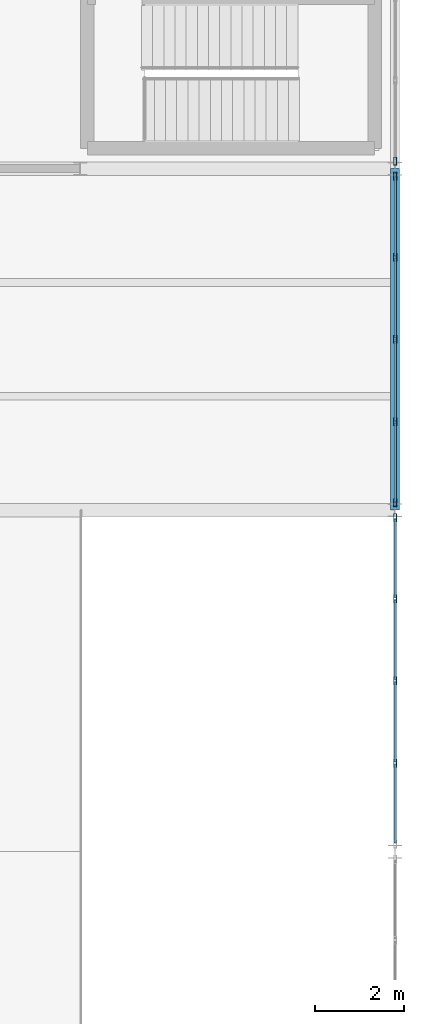
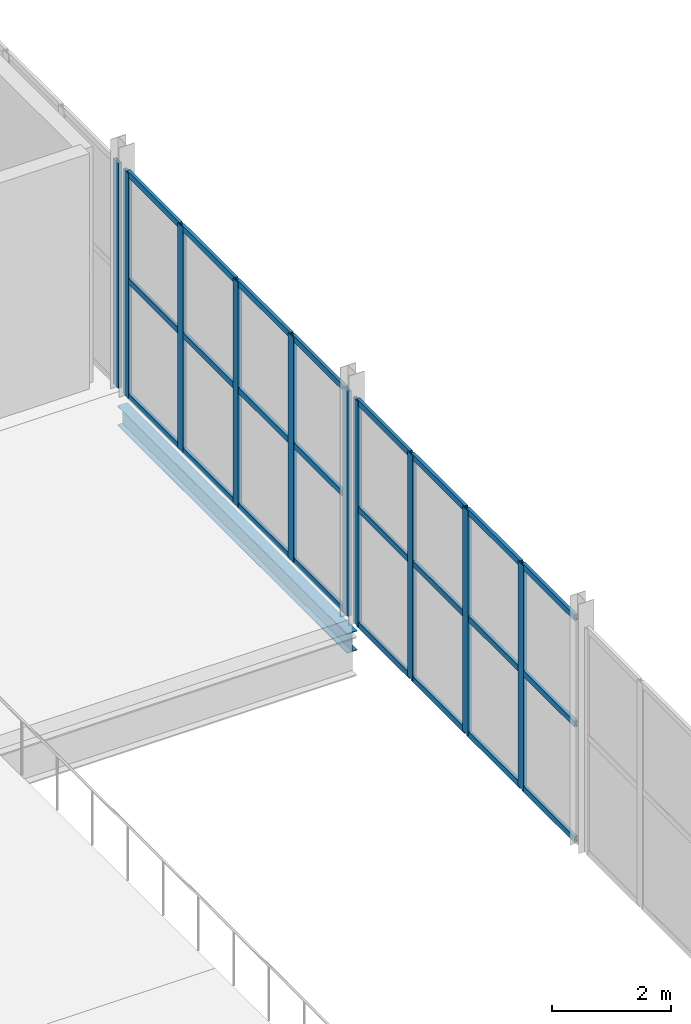
# One storey, part 136 of 218: 34 members, 1 beam, 3 elements without a shape of their own.
"""IFC4 building model written with IfcOpenShell, lengths in metres."""

import ifcopenshell
import ifcopenshell.guid

model = None  # the IFC model being written
_history = None  # IfcOwnerHistory: only IFC2X3 demands one
_inside = {}  # id of a spatial element -> (the spatial element, [elements in it])
_under = {}  # id of a project, library or spatial element -> (it, [spatial elements below it])
_declared = {}  # id of a project -> (the project, [libraries it declares])
_typed = {}  # id of a type object -> (the type object, [elements of that type])
_made_of = {}  # id of a material, layer set ... -> (it, [elements and type objects made of it])


def new_model(schema):
    """Start an empty IFC model of exactly this schema.

    Asked for "IFC4X3", IfcOpenShell would pick the latest addendum, in which some entities
    have other attributes; the version numbers below select the first issue.
    IFC2X3 requires an IfcOwnerHistory on every rooted entity: one is made here for all.
    """
    global model, _history
    if schema == "IFC4X3":
        model = ifcopenshell.file(schema_version=(4, 3, 0, 0))
    else:
        model = ifcopenshell.file(schema=schema)
    _inside.clear()
    _under.clear()
    _declared.clear()
    _typed.clear()
    _made_of.clear()
    _history = None
    if model.schema == "IFC2X3":
        org = make("IfcOrganization", Name="unknown")
        user = make(
            "IfcPersonAndOrganization",
            ThePerson=make("IfcPerson", FamilyName="unknown"),
            TheOrganization=org,
        )
        app = make(
            "IfcApplication",
            ApplicationDeveloper=org,
            Version="unknown",
            ApplicationFullName="unknown",
            ApplicationIdentifier="unknown",
        )
        _history = make(
            "IfcOwnerHistory",
            OwningUser=user,
            OwningApplication=app,
            ChangeAction="ADDED",
            CreationDate=0,
        )
    return model


def make(cls, **values):
    """One entity of the class cls with the attributes given. An attribute that is None is left unset."""
    return model.create_entity(
        cls, **{name: value for name, value in values.items() if value is not None}
    )


def rooted(cls, **values):
    """An entity with a GlobalId (a new one), such as an element, a storey or a relation."""
    return make(cls, GlobalId=ifcopenshell.guid.new(), OwnerHistory=_history, **values)


def si_unit(unit_type, name, prefix=None):
    """IfcSIUnit, for example si_unit("LENGTHUNIT", "METRE", prefix="MILLI")."""
    return make("IfcSIUnit", UnitType=unit_type, Prefix=prefix, Name=name)


def assignment(units):
    """IfcUnitAssignment: the units of a project."""
    return None if units is None else make("IfcUnitAssignment", Units=units)


def point(xyz):
    """IfcCartesianPoint."""
    return None if xyz is None else make("IfcCartesianPoint", Coordinates=xyz)


def direction(xyz):
    """IfcDirection."""
    return None if xyz is None else make("IfcDirection", DirectionRatios=xyz)


def frame(location, z_axis=None, x_axis=None):
    """IfcAxis2Placement3D, a coordinate frame: its origin and axes. An axis left out is left unset."""
    return make(
        "IfcAxis2Placement3D",
        Location=point(location),
        Axis=direction(z_axis),
        RefDirection=direction(x_axis),
    )


def frame_2d(location, x_axis=None):
    """IfcAxis2Placement2D, a coordinate frame in the plane: its origin and x axis."""
    return make(
        "IfcAxis2Placement2D", Location=point(location), RefDirection=direction(x_axis)
    )


def origin():
    """The frame at (0, 0, 0) with its axes left unset."""
    return frame((0.0, 0.0, 0.0))


def origin_2d():
    """The frame at (0, 0) in the plane with its x axis left unset."""
    return frame_2d((0.0, 0.0))


def place(relative_to, where):
    """IfcLocalPlacement: puts the frame where relative to a parent placement (None: the world)."""
    return make(
        "IfcLocalPlacement", PlacementRelTo=relative_to, RelativePlacement=where
    )


def context(
    kind, dimensions, precision=None, world=None, true_north=None, identifier=None
):
    """IfcGeometricRepresentationContext, for example the 3D "Model" context."""
    return make(
        "IfcGeometricRepresentationContext",
        ContextIdentifier=identifier,
        ContextType=kind,
        CoordinateSpaceDimension=dimensions,
        Precision=precision,
        WorldCoordinateSystem=world,
        TrueNorth=true_north,
    )


def subcontext(parent, identifier, kind, view, scale=None):
    """IfcGeometricRepresentationSubContext, for example "Body" below "Model"."""
    return make(
        "IfcGeometricRepresentationSubContext",
        ContextIdentifier=identifier,
        ContextType=kind,
        ParentContext=parent,
        TargetScale=scale,
        TargetView=view,
    )


def project(units=None, contexts=None):
    """IfcProject with its units and contexts."""
    return rooted(
        "IfcProject",
        Name="project",
        RepresentationContexts=contexts,
        UnitsInContext=assignment(units),
    )


def spatial(cls, under=None, at=None, **own):
    """A site, building, storey or space (cls), placed at a placement, below another one or the project."""
    s = rooted(cls, ObjectPlacement=at, **own)
    if under is not None:
        _under.setdefault(under.id(), (under, []))[1].append(s)
    return s


def profile(cls, at=None, kind="AREA", **sizes):
    """A parametric profile (cls). Its sizes go by their IFC names, for example OverallWidth=200.0."""
    return make(cls, ProfileType=kind, Position=at, **sizes)


def hollow_rectangle(**sizes):
    """IfcRectangleHollowProfileDef."""
    return profile("IfcRectangleHollowProfileDef", **sizes)


def i_section(**sizes):
    """IfcIShapeProfileDef."""
    return profile("IfcIShapeProfileDef", **sizes)


def extrude(swept, where, along, depth):
    """IfcExtrudedAreaSolid: the profile swept, set in the frame where, extruded along a direction by depth."""
    return make(
        "IfcExtrudedAreaSolid",
        SweptArea=swept,
        Position=where,
        ExtrudedDirection=direction(along),
        Depth=depth,
    )


def shape(context_of_items, identifier, shape_type, items):
    """IfcShapeRepresentation: the items that make up one representation, for example the "Body"."""
    return make(
        "IfcShapeRepresentation",
        ContextOfItems=context_of_items,
        RepresentationIdentifier=identifier,
        RepresentationType=shape_type,
        Items=items,
    )


def material(Name=None, Category=None):
    """IfcMaterial."""
    return make("IfcMaterial", Name=Name, Category=Category)


def material_profile(
    of_material, cross_section, Name=None, Category=None, Priority=None
):
    """IfcMaterialProfile: a cross section and its material."""
    return make(
        "IfcMaterialProfile",
        Name=Name,
        Material=of_material,
        Profile=cross_section,
        Priority=Priority,
        Category=Category,
    )


def profile_set(profiles, Name=None, composite=None):
    """IfcMaterialProfileSet."""
    return make(
        "IfcMaterialProfileSet",
        Name=Name,
        MaterialProfiles=profiles,
        CompositeProfile=composite,
    )


def made_of(thing, what):
    """Note that an element or type object is made of a material, layer set ...; save() writes the relation."""
    if what is not None:
        _made_of.setdefault(what.id(), (what, []))[1].append(thing)
    return thing


def type_object(cls, material=None, **own):
    """A type object (cls), such as IfcWallType, which elements share."""
    return made_of(rooted(cls, **own), material)


def element(
    cls,
    number,
    at=None,
    inside=None,
    cuts=None,
    type_object=None,
    material=None,
    context=None,
    identifier="Body",
    shape_type=None,
    held_by="IfcProductDefinitionShape",
    body=None,
    shapes=None,
    **own,
):
    """One element of the class cls, such as IfcWall. Its Tag is "e" and its number.

    at: its placement. inside: the storey or other place that contains it. cuts: it is an
    opening in that element (IfcRelVoidsElement). A single representation is given by context,
    identifier, shape_type and body (its items); several are given by shapes. held_by: the class
    of the entity that holds the representations. save() writes the other relations.
    """
    e = rooted(cls, Tag="e%d" % number, ObjectPlacement=at, **own)
    if body is not None:
        shapes = [shape(context, identifier, shape_type, body)]
    if shapes is not None:
        e.Representation = make(held_by, Representations=shapes)
    if inside is not None:
        _inside.setdefault(inside.id(), (inside, []))[1].append(e)
    if cuts is not None:
        rooted(
            "IfcRelVoidsElement", RelatingBuildingElement=cuts, RelatedOpeningElement=e
        )
    if type_object is not None:
        _typed.setdefault(type_object.id(), (type_object, []))[1].append(e)
    return made_of(e, material)


def aggregate(whole, parts):
    """IfcRelAggregates: a whole, such as a stair, and the parts it consists of."""
    return rooted("IfcRelAggregates", RelatingObject=whole, RelatedObjects=parts)


def save(model, path):
    """Write the relations noted so far, then the file.

    IfcRelAggregates (storeys below a building ...), IfcRelContainedInSpatialStructure (elements
    in a storey), IfcRelDefinesByType, IfcRelAssociatesMaterial and IfcRelDeclares: one each for
    every whole, place, type object, material and project.
    """
    for whole, parts in _under.values():
        aggregate(whole, parts)
    for where, things in _inside.values():
        rooted(
            "IfcRelContainedInSpatialStructure",
            RelatedElements=things,
            RelatingStructure=where,
        )
    for kind, things in _typed.values():
        rooted("IfcRelDefinesByType", RelatedObjects=things, RelatingType=kind)
    for what, things in _made_of.values():
        rooted("IfcRelAssociatesMaterial", RelatedObjects=things, RelatingMaterial=what)
    for by, libraries in _declared.values():
        rooted("IfcRelDeclares", RelatingContext=by, RelatedDefinitions=libraries)
    model.write(path)


model = new_model("IFC4")

# Units and contexts
model_context = context("Model", 3, precision=1e-05, world=origin(), true_north=direction((0.0, 1.0)))
body_context = subcontext(model_context, "Body", "Model", "MODEL_VIEW")
ifc_project = project(units=[si_unit("LENGTHUNIT", "METRE"), si_unit("AREAUNIT", "SQUARE_METRE"), si_unit("VOLUMEUNIT", "CUBIC_METRE"), si_unit("PLANEANGLEUNIT", "RADIAN"), si_unit("MASSUNIT", "GRAM", prefix="KILO")], contexts=[model_context])

# Site, building, storey
site_placement = place(None, origin())
site = spatial("IfcSite", under=ifc_project, at=site_placement, CompositionType="ELEMENT")
building_placement = place(site_placement, origin())
building = spatial("IfcBuilding", under=site, at=building_placement, Name="Kazenagashi Tramway Depot", CompositionType="ELEMENT")
storey_placement = place(building_placement, frame((0.0, 0.0, 6.0)))
storey = spatial("IfcBuildingStorey", under=building, at=storey_placement, Name="L02", CompositionType="ELEMENT", Elevation=6.0)

# Curtain wall, members
ifc_material_1 = material(Name="Anodised Aluminium and Low-E Glazing", Category="aluminium")
curtain_wall_type = type_object("IfcCurtainWallType", Name="CW-23", PredefinedType="USERDEFINED", material=ifc_material_1)
curtain_wall_1_placement = place(storey_placement, origin())
curtain_wall_1 = element("IfcCurtainWall", 1, at=curtain_wall_1_placement, inside=storey, type_object=curtain_wall_type, Name="Industrial Glazed Screen CW-23 CW-0131", ObjectType="GLAZED SCREEN", PredefinedType="USERDEFINED")
ifc_material_2 = material(Name="Anodised Aluminium", Category="aluminium")
ifc_material_profile_1 = material_profile(ifc_material_2, hollow_rectangle(XDim=0.07, YDim=0.18, WallThickness=0.005, at=origin_2d()), Name="RHS-180x70x5")
ifc_profile_set_1 = profile_set([ifc_material_profile_1], Name="Anodised Aluminium")
member_type_1 = type_object("IfcMemberType", Name="ML-02", PredefinedType="MULLION", material=ifc_profile_set_1)
member_1_placement = place(storey_placement, frame((196.0, 48.195, 0.0), z_axis=(0.0, 0.0, 1.0), x_axis=(-1.0, 0.0, 0.0)))
member_1 = element("IfcMember", 2, at=member_1_placement, type_object=member_type_1, Name="CW-23 mullion 2", PredefinedType="MULLION", context=body_context, shape_type="SweptSolid", body=[
    extrude(hollow_rectangle(XDim=0.07, YDim=0.18, WallThickness=0.005, at=origin_2d()), origin(), (0.0, 0.0, 1.0), 4.6),
])
member_2_placement = place(storey_placement, frame((196.0, 50.05, 0.0), z_axis=(0.0, 0.0, 1.0), x_axis=(-1.0, 0.0, 0.0)))
member_2 = element("IfcMember", 3, at=member_2_placement, type_object=member_type_1, Name="CW-23 mullion 3", PredefinedType="MULLION", context=body_context, shape_type="SweptSolid", body=[
    extrude(hollow_rectangle(XDim=0.07, YDim=0.18, WallThickness=0.005, at=origin_2d()), origin(), (0.0, 0.0, 1.0), 4.6),
])
member_3_placement = place(storey_placement, frame((196.0, 51.905, 0.0), z_axis=(0.0, 0.0, 1.0), x_axis=(-1.0, 0.0, 0.0)))
member_3 = element("IfcMember", 4, at=member_3_placement, type_object=member_type_1, Name="CW-23 mullion 4", PredefinedType="MULLION", context=body_context, shape_type="SweptSolid", body=[
    extrude(hollow_rectangle(XDim=0.07, YDim=0.18, WallThickness=0.005, at=origin_2d()), origin(), (0.0, 0.0, 1.0), 4.6),
])
member_4_placement = place(storey_placement, frame((196.0, 53.73, 0.0), z_axis=(0.0, 0.0, 1.0), x_axis=(-1.0, 0.0, 0.0)))
member_4 = element("IfcMember", 5, at=member_4_placement, type_object=member_type_1, Name="CW-23 mullion 5", PredefinedType="MULLION", context=body_context, shape_type="SweptSolid", body=[
    extrude(hollow_rectangle(XDim=0.07, YDim=0.18, WallThickness=0.005, at=origin_2d()), origin(), (0.0, 0.0, 1.0), 4.6),
])

curtain_wall_2_placement = place(storey_placement, origin())
curtain_wall_2 = element("IfcCurtainWall", 6, at=curtain_wall_2_placement, inside=storey, type_object=curtain_wall_type, Name="Industrial Glazed Screen CW-23 CW-0132", ObjectType="GLAZED SCREEN", PredefinedType="USERDEFINED")
member_5_placement = place(storey_placement, frame((196.0, 54.07, 0.0), z_axis=(0.0, 0.0, 1.0), x_axis=(-1.0, 0.0, 0.0)))
member_5 = element("IfcMember", 7, at=member_5_placement, type_object=member_type_1, Name="CW-23 mullion 1", PredefinedType="MULLION", context=body_context, shape_type="SweptSolid", body=[
    extrude(hollow_rectangle(XDim=0.07, YDim=0.18, WallThickness=0.005, at=origin_2d()), origin(), (0.0, 0.0, 1.0), 4.6),
])
member_6_placement = place(storey_placement, frame((196.0, 55.895, 0.0), z_axis=(0.0, 0.0, 1.0), x_axis=(-1.0, 0.0, 0.0)))
member_6 = element("IfcMember", 8, at=member_6_placement, type_object=member_type_1, Name="CW-23 mullion 2", PredefinedType="MULLION", context=body_context, shape_type="SweptSolid", body=[
    extrude(hollow_rectangle(XDim=0.07, YDim=0.18, WallThickness=0.005, at=origin_2d()), origin(), (0.0, 0.0, 1.0), 4.6),
])
member_7_placement = place(storey_placement, frame((196.0, 57.75, 0.0), z_axis=(0.0, 0.0, 1.0), x_axis=(-1.0, 0.0, 0.0)))
member_7 = element("IfcMember", 9, at=member_7_placement, type_object=member_type_1, Name="CW-23 mullion 3", PredefinedType="MULLION", context=body_context, shape_type="SweptSolid", body=[
    extrude(hollow_rectangle(XDim=0.07, YDim=0.18, WallThickness=0.005, at=origin_2d()), origin(), (0.0, 0.0, 1.0), 4.6),
])
member_8_placement = place(storey_placement, frame((196.0, 59.605, 0.0), z_axis=(0.0, 0.0, 1.0), x_axis=(-1.0, 0.0, 0.0)))
member_8 = element("IfcMember", 10, at=member_8_placement, type_object=member_type_1, Name="CW-23 mullion 4", PredefinedType="MULLION", context=body_context, shape_type="SweptSolid", body=[
    extrude(hollow_rectangle(XDim=0.07, YDim=0.18, WallThickness=0.005, at=origin_2d()), origin(), (0.0, 0.0, 1.0), 4.6),
])
member_9_placement = place(storey_placement, frame((196.0, 61.43, 0.0), z_axis=(0.0, 0.0, 1.0), x_axis=(-1.0, 0.0, 0.0)))
member_9 = element("IfcMember", 11, at=member_9_placement, type_object=member_type_1, Name="CW-23 mullion 5", PredefinedType="MULLION", context=body_context, shape_type="SweptSolid", body=[
    extrude(hollow_rectangle(XDim=0.07, YDim=0.18, WallThickness=0.005, at=origin_2d()), origin(), (0.0, 0.0, 1.0), 4.6),
])

# Curtain wall, member
curtain_wall_3_placement = place(storey_placement, origin())
curtain_wall_3 = element("IfcCurtainWall", 12, at=curtain_wall_3_placement, inside=storey, type_object=curtain_wall_type, Name="Industrial Glazed Screen CW-23 CW-0133", ObjectType="GLAZED SCREEN", PredefinedType="USERDEFINED")
member_10_placement = place(storey_placement, frame((196.0, 61.77, 0.0), z_axis=(0.0, 0.0, 1.0), x_axis=(-1.0, 0.0, 0.0)))
member_10 = element("IfcMember", 13, at=member_10_placement, type_object=member_type_1, Name="CW-23 mullion 1", PredefinedType="MULLION", context=body_context, shape_type="SweptSolid", body=[
    extrude(hollow_rectangle(XDim=0.07, YDim=0.18, WallThickness=0.005, at=origin_2d()), origin(), (0.0, 0.0, 1.0), 4.6),
])
aggregate(curtain_wall_3, [member_10])

# Beam
ifc_material_3 = material(Name="Steel SN490B", Category="steel")
ifc_material_profile_2 = material_profile(ifc_material_3, i_section(OverallWidth=0.2, OverallDepth=0.4, WebThickness=0.008, FlangeThickness=0.013, at=origin_2d()), Name="H-400x200x8x13")
ifc_profile_set_2 = profile_set([ifc_material_profile_2], Name="Steel SN490B")
beam_type = type_object("IfcBeamType", Name="SP-04", PredefinedType="SPANDREL", material=ifc_profile_set_2)
beam_placement = place(storey_placement, frame((196.0, 53.9, -0.48), z_axis=(0.0, 1.0, 0.0), x_axis=(-1.0, 0.0, 0.0)))
element("IfcBeam", 14, at=beam_placement, inside=storey, type_object=beam_type, Name="Beam SP-04 BM-1352", PredefinedType="SPANDREL", context=body_context, shape_type="SweptSolid", body=[
    extrude(i_section(OverallWidth=0.2, OverallDepth=0.4, WebThickness=0.008, FlangeThickness=0.013, at=origin_2d()), origin(), (0.0, 0.0, 1.0), 7.7),
])

# Member
ifc_material_profile_3 = material_profile(ifc_material_2, hollow_rectangle(XDim=0.06, YDim=0.12, WallThickness=0.004, at=origin_2d()), Name="RHS-120x60x4")
ifc_profile_set_3 = profile_set([ifc_material_profile_3], Name="Anodised Aluminium")
member_type_2 = type_object("IfcMemberType", Name="TR-01", PredefinedType="USERDEFINED", material=ifc_profile_set_3)
member_11_placement = place(storey_placement, frame((196.0, 46.4, 0.03), z_axis=(0.0, 1.0, 0.0), x_axis=(-1.0, 0.0, 0.0)))
member_11 = element("IfcMember", 15, at=member_11_placement, type_object=member_type_2, Name="CW-23 transom 1.1", ObjectType="TRANSOM", PredefinedType="USERDEFINED", context=body_context, shape_type="SweptSolid", body=[
    extrude(hollow_rectangle(XDim=0.06, YDim=0.12, WallThickness=0.004, at=origin_2d()), origin(), (0.0, 0.0, 1.0), 1.765),
])

member_12_placement = place(storey_placement, frame((196.0, 46.4, 2.392), z_axis=(0.0, 1.0, 0.0), x_axis=(-1.0, 0.0, 0.0)))
member_12 = element("IfcMember", 16, at=member_12_placement, type_object=member_type_2, Name="CW-23 transom 1.2", ObjectType="TRANSOM", PredefinedType="USERDEFINED", context=body_context, shape_type="SweptSolid", body=[
    extrude(hollow_rectangle(XDim=0.06, YDim=0.12, WallThickness=0.004, at=origin_2d()), origin(), (0.0, 0.0, 1.0), 1.765),
])

member_13_placement = place(storey_placement, frame((196.0, 46.4, 4.57), z_axis=(0.0, 1.0, 0.0), x_axis=(-1.0, 0.0, 0.0)))
member_13 = element("IfcMember", 17, at=member_13_placement, type_object=member_type_2, Name="CW-23 transom 1.3", ObjectType="TRANSOM", PredefinedType="USERDEFINED", context=body_context, shape_type="SweptSolid", body=[
    extrude(hollow_rectangle(XDim=0.06, YDim=0.12, WallThickness=0.004, at=origin_2d()), origin(), (0.0, 0.0, 1.0), 1.765),
])

member_14_placement = place(storey_placement, frame((196.0, 48.225, 0.03), z_axis=(0.0, 1.0, 0.0), x_axis=(-1.0, 0.0, 0.0)))
member_14 = element("IfcMember", 18, at=member_14_placement, type_object=member_type_2, Name="CW-23 transom 2.1", ObjectType="TRANSOM", PredefinedType="USERDEFINED", context=body_context, shape_type="SweptSolid", body=[
    extrude(hollow_rectangle(XDim=0.06, YDim=0.12, WallThickness=0.004, at=origin_2d()), origin(), (0.0, 0.0, 1.0), 1.795),
])

member_15_placement = place(storey_placement, frame((196.0, 48.225, 2.392), z_axis=(0.0, 1.0, 0.0), x_axis=(-1.0, 0.0, 0.0)))
member_15 = element("IfcMember", 19, at=member_15_placement, type_object=member_type_2, Name="CW-23 transom 2.2", ObjectType="TRANSOM", PredefinedType="USERDEFINED", context=body_context, shape_type="SweptSolid", body=[
    extrude(hollow_rectangle(XDim=0.06, YDim=0.12, WallThickness=0.004, at=origin_2d()), origin(), (0.0, 0.0, 1.0), 1.795),
])

member_16_placement = place(storey_placement, frame((196.0, 48.225, 4.57), z_axis=(0.0, 1.0, 0.0), x_axis=(-1.0, 0.0, 0.0)))
member_16 = element("IfcMember", 20, at=member_16_placement, type_object=member_type_2, Name="CW-23 transom 2.3", ObjectType="TRANSOM", PredefinedType="USERDEFINED", context=body_context, shape_type="SweptSolid", body=[
    extrude(hollow_rectangle(XDim=0.06, YDim=0.12, WallThickness=0.004, at=origin_2d()), origin(), (0.0, 0.0, 1.0), 1.795),
])

member_17_placement = place(storey_placement, frame((196.0, 50.08, 0.03), z_axis=(0.0, 1.0, 0.0), x_axis=(-1.0, 0.0, 0.0)))
member_17 = element("IfcMember", 21, at=member_17_placement, type_object=member_type_2, Name="CW-23 transom 3.1", ObjectType="TRANSOM", PredefinedType="USERDEFINED", context=body_context, shape_type="SweptSolid", body=[
    extrude(hollow_rectangle(XDim=0.06, YDim=0.12, WallThickness=0.004, at=origin_2d()), origin(), (0.0, 0.0, 1.0), 1.795),
])

member_18_placement = place(storey_placement, frame((196.0, 50.08, 2.392), z_axis=(0.0, 1.0, 0.0), x_axis=(-1.0, 0.0, 0.0)))
member_18 = element("IfcMember", 22, at=member_18_placement, type_object=member_type_2, Name="CW-23 transom 3.2", ObjectType="TRANSOM", PredefinedType="USERDEFINED", context=body_context, shape_type="SweptSolid", body=[
    extrude(hollow_rectangle(XDim=0.06, YDim=0.12, WallThickness=0.004, at=origin_2d()), origin(), (0.0, 0.0, 1.0), 1.795),
])

member_19_placement = place(storey_placement, frame((196.0, 50.08, 4.57), z_axis=(0.0, 1.0, 0.0), x_axis=(-1.0, 0.0, 0.0)))
member_19 = element("IfcMember", 23, at=member_19_placement, type_object=member_type_2, Name="CW-23 transom 3.3", ObjectType="TRANSOM", PredefinedType="USERDEFINED", context=body_context, shape_type="SweptSolid", body=[
    extrude(hollow_rectangle(XDim=0.06, YDim=0.12, WallThickness=0.004, at=origin_2d()), origin(), (0.0, 0.0, 1.0), 1.795),
])

member_20_placement = place(storey_placement, frame((196.0, 51.935, 0.03), z_axis=(0.0, 1.0, 0.0), x_axis=(-1.0, 0.0, 0.0)))
member_20 = element("IfcMember", 24, at=member_20_placement, type_object=member_type_2, Name="CW-23 transom 4.1", ObjectType="TRANSOM", PredefinedType="USERDEFINED", context=body_context, shape_type="SweptSolid", body=[
    extrude(hollow_rectangle(XDim=0.06, YDim=0.12, WallThickness=0.004, at=origin_2d()), origin(), (0.0, 0.0, 1.0), 1.765),
])

member_21_placement = place(storey_placement, frame((196.0, 51.935, 2.392), z_axis=(0.0, 1.0, 0.0), x_axis=(-1.0, 0.0, 0.0)))
member_21 = element("IfcMember", 25, at=member_21_placement, type_object=member_type_2, Name="CW-23 transom 4.2", ObjectType="TRANSOM", PredefinedType="USERDEFINED", context=body_context, shape_type="SweptSolid", body=[
    extrude(hollow_rectangle(XDim=0.06, YDim=0.12, WallThickness=0.004, at=origin_2d()), origin(), (0.0, 0.0, 1.0), 1.765),
])

member_22_placement = place(storey_placement, frame((196.0, 51.935, 4.57), z_axis=(0.0, 1.0, 0.0), x_axis=(-1.0, 0.0, 0.0)))
member_22 = element("IfcMember", 26, at=member_22_placement, type_object=member_type_2, Name="CW-23 transom 4.3", ObjectType="TRANSOM", PredefinedType="USERDEFINED", context=body_context, shape_type="SweptSolid", body=[
    extrude(hollow_rectangle(XDim=0.06, YDim=0.12, WallThickness=0.004, at=origin_2d()), origin(), (0.0, 0.0, 1.0), 1.765),
])

aggregate(curtain_wall_1, [member_1, member_2, member_3, member_4, member_11, member_12, member_13, member_14, member_15, member_16, member_17, member_18, member_19, member_20, member_21, member_22])

member_23_placement = place(storey_placement, frame((196.0, 54.1, 0.03), z_axis=(0.0, 1.0, 0.0), x_axis=(-1.0, 0.0, 0.0)))
member_23 = element("IfcMember", 27, at=member_23_placement, type_object=member_type_2, Name="CW-23 transom 1.1", ObjectType="TRANSOM", PredefinedType="USERDEFINED", context=body_context, shape_type="SweptSolid", body=[
    extrude(hollow_rectangle(XDim=0.06, YDim=0.12, WallThickness=0.004, at=origin_2d()), origin(), (0.0, 0.0, 1.0), 1.765),
])

member_24_placement = place(storey_placement, frame((196.0, 54.1, 2.392), z_axis=(0.0, 1.0, 0.0), x_axis=(-1.0, 0.0, 0.0)))
member_24 = element("IfcMember", 28, at=member_24_placement, type_object=member_type_2, Name="CW-23 transom 1.2", ObjectType="TRANSOM", PredefinedType="USERDEFINED", context=body_context, shape_type="SweptSolid", body=[
    extrude(hollow_rectangle(XDim=0.06, YDim=0.12, WallThickness=0.004, at=origin_2d()), origin(), (0.0, 0.0, 1.0), 1.765),
])

member_25_placement = place(storey_placement, frame((196.0, 54.1, 4.57), z_axis=(0.0, 1.0, 0.0), x_axis=(-1.0, 0.0, 0.0)))
member_25 = element("IfcMember", 29, at=member_25_placement, type_object=member_type_2, Name="CW-23 transom 1.3", ObjectType="TRANSOM", PredefinedType="USERDEFINED", context=body_context, shape_type="SweptSolid", body=[
    extrude(hollow_rectangle(XDim=0.06, YDim=0.12, WallThickness=0.004, at=origin_2d()), origin(), (0.0, 0.0, 1.0), 1.765),
])

member_26_placement = place(storey_placement, frame((196.0, 55.925, 0.03), z_axis=(0.0, 1.0, 0.0), x_axis=(-1.0, 0.0, 0.0)))
member_26 = element("IfcMember", 30, at=member_26_placement, type_object=member_type_2, Name="CW-23 transom 2.1", ObjectType="TRANSOM", PredefinedType="USERDEFINED", context=body_context, shape_type="SweptSolid", body=[
    extrude(hollow_rectangle(XDim=0.06, YDim=0.12, WallThickness=0.004, at=origin_2d()), origin(), (0.0, 0.0, 1.0), 1.795),
])

member_27_placement = place(storey_placement, frame((196.0, 55.925, 2.392), z_axis=(0.0, 1.0, 0.0), x_axis=(-1.0, 0.0, 0.0)))
member_27 = element("IfcMember", 31, at=member_27_placement, type_object=member_type_2, Name="CW-23 transom 2.2", ObjectType="TRANSOM", PredefinedType="USERDEFINED", context=body_context, shape_type="SweptSolid", body=[
    extrude(hollow_rectangle(XDim=0.06, YDim=0.12, WallThickness=0.004, at=origin_2d()), origin(), (0.0, 0.0, 1.0), 1.795),
])

member_28_placement = place(storey_placement, frame((196.0, 55.925, 4.57), z_axis=(0.0, 1.0, 0.0), x_axis=(-1.0, 0.0, 0.0)))
member_28 = element("IfcMember", 32, at=member_28_placement, type_object=member_type_2, Name="CW-23 transom 2.3", ObjectType="TRANSOM", PredefinedType="USERDEFINED", context=body_context, shape_type="SweptSolid", body=[
    extrude(hollow_rectangle(XDim=0.06, YDim=0.12, WallThickness=0.004, at=origin_2d()), origin(), (0.0, 0.0, 1.0), 1.795),
])

member_29_placement = place(storey_placement, frame((196.0, 57.78, 0.03), z_axis=(0.0, 1.0, 0.0), x_axis=(-1.0, 0.0, 0.0)))
member_29 = element("IfcMember", 33, at=member_29_placement, type_object=member_type_2, Name="CW-23 transom 3.1", ObjectType="TRANSOM", PredefinedType="USERDEFINED", context=body_context, shape_type="SweptSolid", body=[
    extrude(hollow_rectangle(XDim=0.06, YDim=0.12, WallThickness=0.004, at=origin_2d()), origin(), (0.0, 0.0, 1.0), 1.795),
])

member_30_placement = place(storey_placement, frame((196.0, 57.78, 2.392), z_axis=(0.0, 1.0, 0.0), x_axis=(-1.0, 0.0, 0.0)))
member_30 = element("IfcMember", 34, at=member_30_placement, type_object=member_type_2, Name="CW-23 transom 3.2", ObjectType="TRANSOM", PredefinedType="USERDEFINED", context=body_context, shape_type="SweptSolid", body=[
    extrude(hollow_rectangle(XDim=0.06, YDim=0.12, WallThickness=0.004, at=origin_2d()), origin(), (0.0, 0.0, 1.0), 1.795),
])

member_31_placement = place(storey_placement, frame((196.0, 57.78, 4.57), z_axis=(0.0, 1.0, 0.0), x_axis=(-1.0, 0.0, 0.0)))
member_31 = element("IfcMember", 35, at=member_31_placement, type_object=member_type_2, Name="CW-23 transom 3.3", ObjectType="TRANSOM", PredefinedType="USERDEFINED", context=body_context, shape_type="SweptSolid", body=[
    extrude(hollow_rectangle(XDim=0.06, YDim=0.12, WallThickness=0.004, at=origin_2d()), origin(), (0.0, 0.0, 1.0), 1.795),
])

member_32_placement = place(storey_placement, frame((196.0, 59.635, 0.03), z_axis=(0.0, 1.0, 0.0), x_axis=(-1.0, 0.0, 0.0)))
member_32 = element("IfcMember", 36, at=member_32_placement, type_object=member_type_2, Name="CW-23 transom 4.1", ObjectType="TRANSOM", PredefinedType="USERDEFINED", context=body_context, shape_type="SweptSolid", body=[
    extrude(hollow_rectangle(XDim=0.06, YDim=0.12, WallThickness=0.004, at=origin_2d()), origin(), (0.0, 0.0, 1.0), 1.765),
])

member_33_placement = place(storey_placement, frame((196.0, 59.635, 2.392), z_axis=(0.0, 1.0, 0.0), x_axis=(-1.0, 0.0, 0.0)))
member_33 = element("IfcMember", 37, at=member_33_placement, type_object=member_type_2, Name="CW-23 transom 4.2", ObjectType="TRANSOM", PredefinedType="USERDEFINED", context=body_context, shape_type="SweptSolid", body=[
    extrude(hollow_rectangle(XDim=0.06, YDim=0.12, WallThickness=0.004, at=origin_2d()), origin(), (0.0, 0.0, 1.0), 1.765),
])

member_34_placement = place(storey_placement, frame((196.0, 59.635, 4.57), z_axis=(0.0, 1.0, 0.0), x_axis=(-1.0, 0.0, 0.0)))
member_34 = element("IfcMember", 38, at=member_34_placement, type_object=member_type_2, Name="CW-23 transom 4.3", ObjectType="TRANSOM", PredefinedType="USERDEFINED", context=body_context, shape_type="SweptSolid", body=[
    extrude(hollow_rectangle(XDim=0.06, YDim=0.12, WallThickness=0.004, at=origin_2d()), origin(), (0.0, 0.0, 1.0), 1.765),
])

aggregate(curtain_wall_2, [member_5, member_6, member_7, member_8, member_9, member_23, member_24, member_25, member_26, member_27, member_28, member_29, member_30, member_31, member_32, member_33, member_34])

save(model, "model.ifc")
